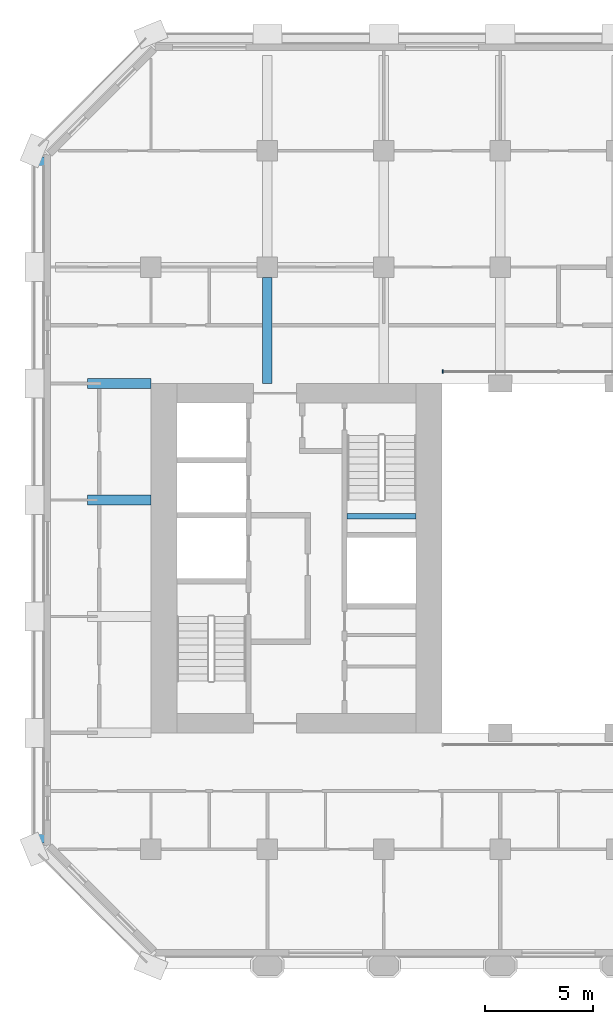
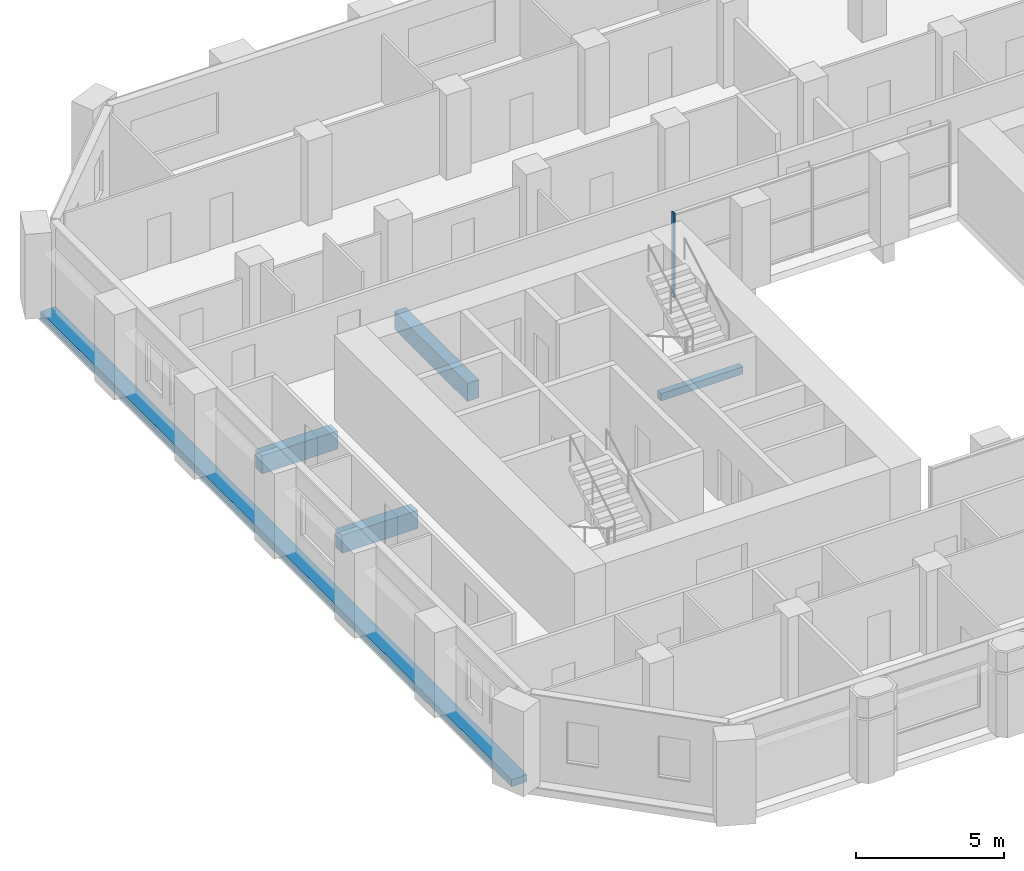
# One storey, part 3 of 13: 5 beams, 1 member, 1 element without a shape of its own.
"""IFC4 building model written with IfcOpenShell, lengths in metres."""

from ifc_helpers import new_model, si_unit, direction, frame, origin, origin_2d, place, context, subcontext, project, spatial, rectangle, extrude, material, material_profile, profile_set, type_object, element, aggregate, save


model = new_model("IFC4")

# Units and contexts
model_context = context("Model", 3, precision=1e-05, world=origin(), true_north=direction((0.0, 1.0)))
body_context = subcontext(model_context, "Body", "Model", "MODEL_VIEW")
ifc_project = project(units=[si_unit("LENGTHUNIT", "METRE"), si_unit("AREAUNIT", "SQUARE_METRE"), si_unit("VOLUMEUNIT", "CUBIC_METRE"), si_unit("PLANEANGLEUNIT", "RADIAN"), si_unit("MASSUNIT", "GRAM", prefix="KILO")], contexts=[model_context])

# Site, building, storey
site_placement = place(None, origin())
site = spatial("IfcSite", under=ifc_project, at=site_placement, CompositionType="ELEMENT")
building_placement = place(site_placement, origin())
building = spatial("IfcBuilding", under=site, at=building_placement, Name="Tabaq Tower and Sports Hall", CompositionType="ELEMENT")
storey_placement = place(building_placement, frame((0.0, 0.0, 106.800048828125)))
storey = spatial("IfcBuildingStorey", under=building, at=storey_placement, Name="L25", CompositionType="ELEMENT", Elevation=106.800048828125)

# Curtain wall, member
ifc_material_1 = material(Name="Aluminium alloy 6063-T6 framed glazing", Category="aluminium")
curtain_wall_type = type_object("IfcCurtainWallType", Name="CW1 curtain wall", PredefinedType="USERDEFINED", material=ifc_material_1)
curtain_wall_placement = place(storey_placement, origin())
curtain_wall = element("IfcCurtainWall", 1, at=curtain_wall_placement, inside=storey, type_object=curtain_wall_type, Name="Atrium glazing L25 N", ObjectType="ATRIUM ENCLOSURE", PredefinedType="USERDEFINED")
ifc_material_2 = material(Name="Aluminium alloy 6063-T6", Category="aluminium")
ifc_material_profile_1 = material_profile(ifc_material_2, rectangle(XDim=0.159912109375, YDim=0.06005859375, at=origin_2d()), Name="MULLION 160x60")
ifc_profile_set_1 = profile_set([ifc_material_profile_1], Name="Aluminium alloy 6063-T6")
member_type = type_object("IfcMemberType", Name="CW1 mullion 160x60", PredefinedType="MULLION", material=ifc_profile_set_1)
member_placement = place(storey_placement, frame((18.929931640625, 32.949951171875, 0.0), z_axis=(0.0, 0.0, 1.0), x_axis=(0.0, 1.0, 0.0)))
member = element("IfcMember", 2, at=member_placement, type_object=member_type, Name="CW1 mullion 1", PredefinedType="MULLION", context=body_context, shape_type="SweptSolid", body=[
    extrude(rectangle(XDim=0.159912109375, YDim=0.06005859375, at=origin_2d()), origin(), (0.0, 0.0, 1.0), 3.5),
])
aggregate(curtain_wall, [member])

# Beams
ifc_material_3 = material(Name="Concrete C40/50", Category="concrete")
ifc_material_profile_2 = material_profile(ifc_material_3, rectangle(XDim=0.449951171875, YDim=0.75, at=origin_2d()), Name="CB 450x750")
ifc_profile_set_2 = profile_set([ifc_material_profile_2], Name="Concrete C40/50")
beam_type_1 = type_object("IfcBeamType", Name="PT CANTILEVER BEAM CB 450x750 C40/50", PredefinedType="BEAM", material=ifc_profile_set_2)
for number, where, z_axis, x_axis, name in (
    (3, (2.449951171875, 27.0, -0.675048828125), (1.0, 0.0, 0.0), (0.0, 1.0, 0.0), "Cantilever Beam L25 W5 span 1"),
    (4, (2.449951171875, 32.39990234375, -0.675048828125), (1.0, 0.0, 0.0), (0.0, 1.0, 0.0), "Cantilever Beam L25 W6 span 1"),
):
    element("IfcBeam", number, at=place(storey_placement, frame(where, z_axis=z_axis, x_axis=x_axis)), inside=storey, type_object=beam_type_1, Name=name, PredefinedType="BEAM", context=body_context, shape_type="SweptSolid", body=[
        extrude(rectangle(XDim=0.449951171875, YDim=0.75, at=origin_2d()), origin(), (0.0, 0.0, 1.0), 2.949951171875),
    ])
beam_1_placement = place(storey_placement, frame((10.800048828125, 37.324951171875, -0.675048828125), z_axis=(0.0, -1.0, 0.0), x_axis=(1.0, 0.0, 0.0)))
element("IfcBeam", 5, at=beam_1_placement, inside=storey, type_object=beam_type_1, Name="Cantilever Beam L25 N2 span 3", PredefinedType="BEAM", context=body_context, shape_type="SweptSolid", body=[
    extrude(rectangle(XDim=0.449951171875, YDim=0.75, at=origin_2d()), origin(), (0.0, 0.0, 1.0), 4.925048828125),
])
ifc_material_4 = material(Name="Concrete C40/50", Category="concrete")
ifc_material_profile_3 = material_profile(ifc_material_4, rectangle(XDim=0.60009765625, YDim=0.300048828125, at=origin_2d()), Name="EB 600x300")
ifc_profile_set_3 = profile_set([ifc_material_profile_3], Name="Concrete C40/50")
beam_type_2 = type_object("IfcBeamType", Name="PT EDGE BEAM EB 600x300 C40/50", PredefinedType="SPANDREL", material=ifc_profile_set_3)
beam_2_placement = place(storey_placement, frame((0.300048828125, 42.9013671875, -0.150146484375), z_axis=(0.0, -1.0, 0.0), x_axis=(1.0, 0.0, 0.0)))
element("IfcBeam", 6, at=beam_2_placement, inside=storey, type_object=beam_type_2, Name="Edge Beam L25 4", PredefinedType="SPANDREL", context=body_context, shape_type="SweptSolid", body=[
    extrude(rectangle(XDim=0.60009765625, YDim=0.300048828125, at=origin_2d()), origin(), (0.0, 0.0, 1.0), 31.802734375),
])
ifc_material_5 = material(Name="Concrete C40/50", Category="concrete")
ifc_material_profile_4 = material_profile(ifc_material_5, rectangle(XDim=0.25, YDim=0.300048828125, at=origin_2d()), Name="RC 250x300")
ifc_profile_set_4 = profile_set([ifc_material_profile_4], Name="Concrete C40/50")
beam_type_3 = type_object("IfcBeamType", Name="Stair landing beam 250x300", PredefinedType="BEAM", material=ifc_profile_set_4)
beam_3_placement = place(storey_placement, frame((14.5, 26.25, 1.550048828125), z_axis=(1.0, 0.0, 0.0), x_axis=(0.0, 1.0, 0.0)))
element("IfcBeam", 7, at=beam_3_placement, inside=storey, type_object=beam_type_3, Name="L25 ST2 landing beam 1", PredefinedType="BEAM", context=body_context, shape_type="SweptSolid", body=[
    extrude(rectangle(XDim=0.25, YDim=0.300048828125, at=origin_2d()), origin(), (0.0, 0.0, 1.0), 3.199951171875),
])

save(model, "model.ifc")
